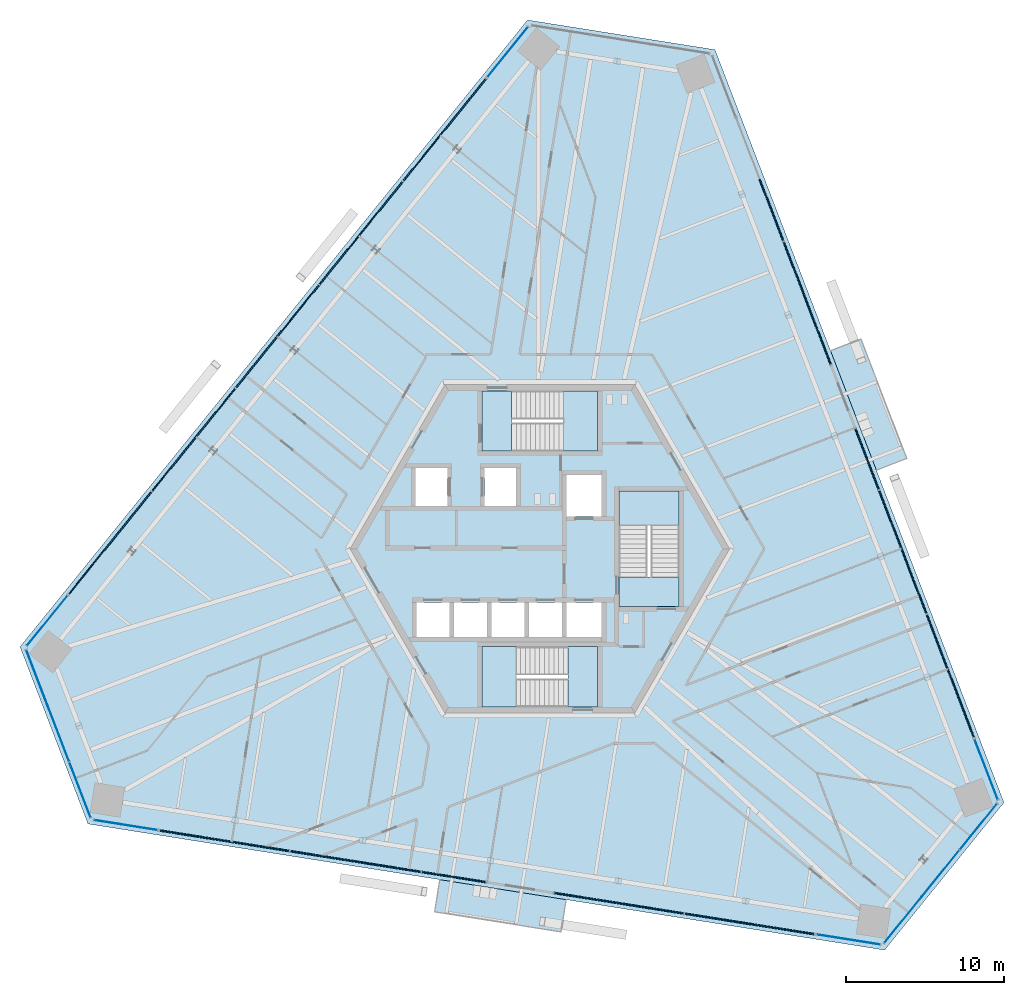
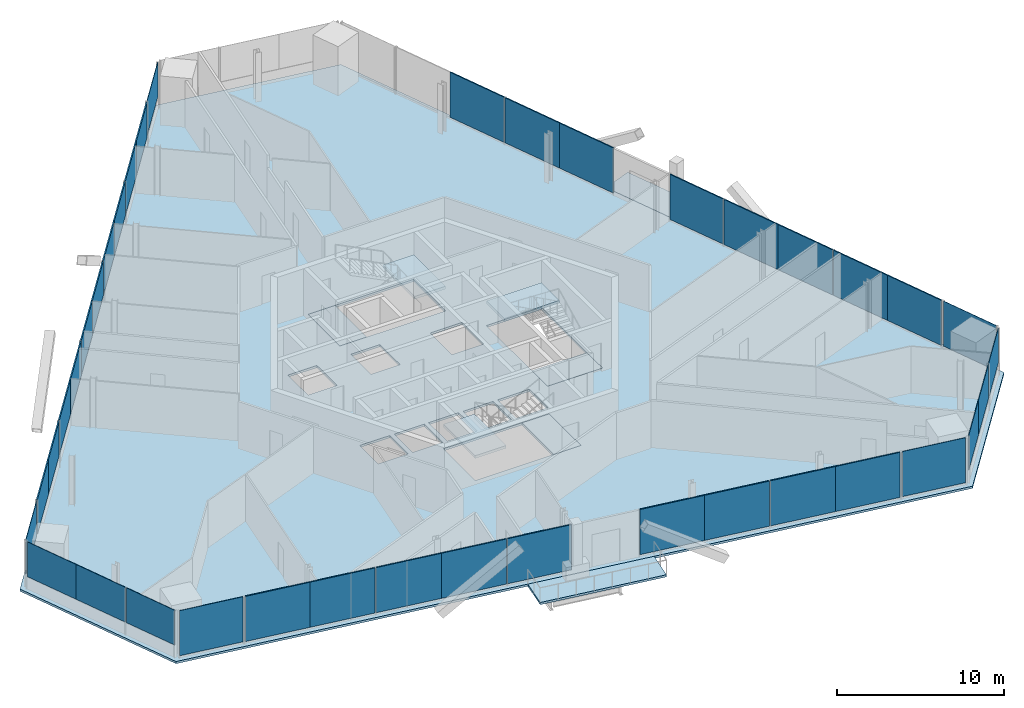
# One storey, part 10 of 19: 38 plates, 9 slabs, 15 elements without a shape of their own.
"""IFC4 building model written with IfcOpenShell, lengths in metres."""

from ifc_helpers import new_model, si_unit, direction, frame, origin, origin_2d, place, context, subcontext, project, spatial, polyline, rectangle, outline, extrude, source, transform, mapped, material, layer, layer_set, type_object, element, aggregate, save


model = new_model("IFC4")

# Units and contexts
model_context = context("Model", 3, precision=1e-05, world=origin(), true_north=direction((0.0, 1.0)))
body_context = subcontext(model_context, "Body", "Model", "MODEL_VIEW")
ifc_project = project(units=[si_unit("LENGTHUNIT", "METRE"), si_unit("AREAUNIT", "SQUARE_METRE"), si_unit("VOLUMEUNIT", "CUBIC_METRE"), si_unit("PLANEANGLEUNIT", "RADIAN"), si_unit("MASSUNIT", "GRAM", prefix="KILO")], contexts=[model_context])

# Site, building, storey
site_placement = place(None, origin())
site = spatial("IfcSite", under=ifc_project, at=site_placement, CompositionType="ELEMENT")
building_placement = place(site_placement, origin())
building = spatial("IfcBuilding", under=site, at=building_placement, Name="Triune Harvest Tower", CompositionType="ELEMENT")
storey_placement = place(building_placement, frame((0.0, 0.0, 149.699951171875)))
storey = spatial("IfcBuildingStorey", under=building, at=storey_placement, Name="L38", CompositionType="ELEMENT", Elevation=149.699951171875)

# Slabs
ifc_material_1 = material(Name="Concrete 40 MPa", Category="concrete")
ifc_layer_1 = layer(ifc_material_1, 0.159912109375)
ifc_layer_set_1 = layer_set([ifc_layer_1], Name="Concrete 40 MPa")
slab_type_1 = type_object("IfcSlabType", Name="BA-1 balcony slab 160", PredefinedType="FLOOR", material=ifc_layer_set_1)
slab_1_placement = place(storey_placement, frame((0.0, 0.0, -0.159912109375)))
element("IfcSlab", 1, at=slab_1_placement, inside=storey, type_object=slab_type_1, Name="Balcony slab B4-F1 L38.7", PredefinedType="FLOOR", context=body_context, shape_type="SweptSolid", body=[
    extrude(outline(polyline([(21.280517578125, 4.977294921875), (18.381103515625, 12.530029296875), (20.305419921875, 13.268798828125), (23.204833984375, 5.7158203125), (21.280517578125, 4.977294921875)])), origin(), (0.0, 0.0, 1.0), 0.159912109375),
])
slab_2_placement = place(storey_placement, frame((0.0, 0.0, -0.159912109375)))
element("IfcSlab", 2, at=slab_2_placement, inside=storey, type_object=slab_type_1, Name="Balcony slab B4-F5 L38.7", PredefinedType="FLOOR", context=body_context, shape_type="SweptSolid", body=[
    extrude(outline(polyline([(-6.329833984375, -20.91796875), (1.66064453125, -22.18359375), (1.33837890625, -24.219482421875), (-6.65234375, -22.953857421875), (-6.329833984375, -20.91796875)])), origin(), (0.0, 0.0, 1.0), 0.159912109375),
])
ifc_material_2 = material(Name="Concrete 40 MPa", Category="concrete")
ifc_layer_2 = layer(ifc_material_2, 0.159912109375)
ifc_layer_set_2 = layer_set([ifc_layer_2], Name="Concrete 40 MPa")
slab_type_2 = type_object("IfcSlabType", Name="SL-1 Composite floor slab 160", PredefinedType="FLOOR", material=ifc_layer_set_2)
shared_shape_1 = source(origin(), body_context, "Body", "SweptSolid", [
    extrude(outline(polyline([(29.35107421875, -16.04736328125), (11.07421875, 31.565185546875), (-0.778076171875, 33.4423828125), (-32.873291015625, -6.19189453125), (-28.572998046875, -17.39501953125), (21.799072265625, -25.373291015625), (29.35107421875, -16.04736328125)]), holes=[polyline([(-5.72509765625, -5.590087890625), (-5.72509765625, -3.389892578125), (-7.800048828125, -3.389892578125), (-7.800048828125, -5.590087890625), (-5.72509765625, -5.590087890625)]), polyline([(-3.35009765625, -5.590087890625), (-3.35009765625, -3.389892578125), (-5.425048828125, -3.389892578125), (-5.425048828125, -5.590087890625), (-3.35009765625, -5.590087890625)]), polyline([(-0.97509765625, -5.590087890625), (-0.97509765625, -3.389892578125), (-3.050048828125, -3.389892578125), (-3.050048828125, -5.590087890625), (-0.97509765625, -5.590087890625)]), polyline([(1.39990234375, -5.590087890625), (1.39990234375, -3.389892578125), (-0.675048828125, -3.389892578125), (-0.675048828125, -5.590087890625), (1.39990234375, -5.590087890625)]), polyline([(3.89990234375, 2.06005859375), (3.89990234375, 4.659912109375), (1.699951171875, 4.659912109375), (1.699951171875, 2.06005859375), (3.89990234375, 2.06005859375)]), polyline([(3.89990234375, -5.590087890625), (3.89990234375, -3.389892578125), (1.699951171875, -3.389892578125), (1.699951171875, -5.590087890625), (3.89990234375, -5.590087890625)]), polyline([(-5.85009765625, 2.7099609375), (-5.85009765625, 5.110107421875), (-7.85009765625, 5.110107421875), (-7.85009765625, 2.7099609375), (-5.85009765625, 2.7099609375)]), polyline([(-1.5, 2.7099609375), (-1.5, 5.110107421875), (-3.5, 5.110107421875), (-3.5, 2.7099609375), (-1.5, 2.7099609375)]), polyline([(3.64990234375, 6.18994140625), (3.64990234375, 9.989990234375), (-3.64990234375, 9.989990234375), (-3.64990234375, 6.18994140625), (3.64990234375, 6.18994140625)]), polyline([(3.64990234375, -9.989990234375), (3.64990234375, -6.18994140625), (-3.64990234375, -6.18994140625), (-3.64990234375, -9.989990234375), (3.64990234375, -9.989990234375)]), polyline([(8.800048828125, -3.64990234375), (8.800048828125, 3.64990234375), (5.0, 3.64990234375), (5.0, -3.64990234375), (8.800048828125, -3.64990234375)])]), origin(), (0.0, 0.0, 1.0), 0.159912109375),
])
slab_3_placement = place(storey_placement, frame((0.0, 0.0, -0.159912109375)))
element("IfcSlab", 3, at=slab_3_placement, inside=storey, type_object=slab_type_2, Name="slab/L38/1", PredefinedType="FLOOR", context=body_context, shape_type="MappedRepresentation", body=[
    mapped(shared_shape_1, transform((0.0, 0.0, 0.0), scale=1.0)),
])

# Stair, slabs
ifc_material_3 = material(Name="Concrete 40 MPa", Category="concrete")
stair_type = type_object("IfcStairType", Name="Exit stair 1800 half turn", PredefinedType="HALF_TURN_STAIR", material=ifc_material_3)
stair_1_placement = place(storey_placement, origin())
stair_1 = element("IfcStair", 4, at=stair_1_placement, inside=storey, type_object=stair_type, Name="Exit stair north", PredefinedType="HALF_TURN_STAIR")
ifc_material_4 = material(Name="Concrete 40 MPa", Category="concrete")
ifc_layer_3 = layer(ifc_material_4, 0.199951171875)
ifc_layer_set_3 = layer_set([ifc_layer_3], Name="Concrete 40 MPa")
slab_type_3 = type_object("IfcSlabType", Name="Stair landing 200", PredefinedType="LANDING", material=ifc_layer_set_3)
shared_shape_2 = source(origin(), body_context, "Body", "SweptSolid", [
    extrude(outline(polyline([(1.510009765625, 6.18994140625), (3.64990234375, 6.18994140625), (3.64990234375, 9.989990234375), (1.510009765625, 9.989990234375), (1.510009765625, 6.18994140625)])), origin(), (0.0, 0.0, 1.0), 0.199951171875),
])
slab_4_placement = place(storey_placement, frame((0.0, 0.0, 1.60009765625)))
slab_4 = element("IfcSlab", 5, at=slab_4_placement, type_object=slab_type_3, Name="ST-1 landing 2", PredefinedType="LANDING", context=body_context, shape_type="MappedRepresentation", body=[
    mapped(shared_shape_2, transform((0.0, 0.0, 0.0), scale=1.0)),
])
shared_shape_3 = source(origin(), body_context, "Body", "SweptSolid", [
    extrude(outline(polyline([(-3.64990234375, 6.18994140625), (-1.780029296875, 6.18994140625), (-1.780029296875, 9.989990234375), (-3.64990234375, 9.989990234375), (-3.64990234375, 6.18994140625)])), origin(), (0.0, 0.0, 1.0), 0.199951171875),
])
slab_5_placement = place(storey_placement, frame((0.0, 0.0, -0.199951171875)))
slab_5 = element("IfcSlab", 6, at=slab_5_placement, type_object=slab_type_3, Name="ST-1 landing 1", PredefinedType="LANDING", context=body_context, shape_type="MappedRepresentation", body=[
    mapped(shared_shape_3, transform((0.0, 0.0, 0.0), scale=1.0)),
])
aggregate(stair_1, [slab_5, slab_4])

stair_2_placement = place(storey_placement, origin())
stair_2 = element("IfcStair", 7, at=stair_2_placement, inside=storey, type_object=stair_type, Name="Exit stair south", PredefinedType="HALF_TURN_STAIR")
shared_shape_4 = source(origin(), body_context, "Body", "SweptSolid", [
    extrude(outline(polyline([(-1.510009765625, -6.18994140625), (-3.64990234375, -6.18994140625), (-3.64990234375, -9.989990234375), (-1.510009765625, -9.989990234375), (-1.510009765625, -6.18994140625)])), origin(), (0.0, 0.0, 1.0), 0.199951171875),
])
slab_6_placement = place(storey_placement, frame((0.0, 0.0, 1.60009765625)))
slab_6 = element("IfcSlab", 8, at=slab_6_placement, type_object=slab_type_3, Name="ST-2 landing 2", PredefinedType="LANDING", context=body_context, shape_type="MappedRepresentation", body=[
    mapped(shared_shape_4, transform((0.0, 0.0, 0.0), scale=1.0)),
])
shared_shape_5 = source(origin(), body_context, "Body", "SweptSolid", [
    extrude(outline(polyline([(3.64990234375, -6.18994140625), (1.780029296875, -6.18994140625), (1.780029296875, -9.989990234375), (3.64990234375, -9.989990234375), (3.64990234375, -6.18994140625)])), origin(), (0.0, 0.0, 1.0), 0.199951171875),
])
slab_7_placement = place(storey_placement, frame((0.0, 0.0, -0.199951171875)))
slab_7 = element("IfcSlab", 9, at=slab_7_placement, type_object=slab_type_3, Name="ST-2 landing 1", PredefinedType="LANDING", context=body_context, shape_type="MappedRepresentation", body=[
    mapped(shared_shape_5, transform((0.0, 0.0, 0.0), scale=1.0)),
])
aggregate(stair_2, [slab_7, slab_6])

stair_3_placement = place(storey_placement, origin())
stair_3 = element("IfcStair", 10, at=stair_3_placement, inside=storey, type_object=stair_type, Name="Exit stair east", PredefinedType="HALF_TURN_STAIR")
shared_shape_6 = source(origin(), body_context, "Body", "SweptSolid", [
    extrude(outline(polyline([(8.800048828125, 1.510009765625), (8.800048828125, 3.64990234375), (5.0, 3.64990234375), (5.0, 1.510009765625), (8.800048828125, 1.510009765625)])), origin(), (0.0, 0.0, 1.0), 0.199951171875),
])
slab_8_placement = place(storey_placement, frame((0.0, 0.0, 1.60009765625)))
slab_8 = element("IfcSlab", 11, at=slab_8_placement, type_object=slab_type_3, Name="ST-3 landing 2", PredefinedType="LANDING", context=body_context, shape_type="MappedRepresentation", body=[
    mapped(shared_shape_6, transform((0.0, 0.0, 0.0), scale=1.0)),
])
shared_shape_7 = source(origin(), body_context, "Body", "SweptSolid", [
    extrude(outline(polyline([(8.800048828125, -3.64990234375), (8.800048828125, -1.780029296875), (5.0, -1.780029296875), (5.0, -3.64990234375), (8.800048828125, -3.64990234375)])), origin(), (0.0, 0.0, 1.0), 0.199951171875),
])
slab_9_placement = place(storey_placement, frame((0.0, 0.0, -0.199951171875)))
slab_9 = element("IfcSlab", 12, at=slab_9_placement, type_object=slab_type_3, Name="ST-3 landing 1", PredefinedType="LANDING", context=body_context, shape_type="MappedRepresentation", body=[
    mapped(shared_shape_7, transform((0.0, 0.0, 0.0), scale=1.0)),
])
aggregate(stair_3, [slab_9, slab_8])

# Curtain wall, plate
ifc_material_5 = material(Name="Aluminium bronze anodised", Category="aluminium")
curtain_wall_type_1 = type_object("IfcCurtainWallType", Name="CW-1 Tower stick curtain wall", PredefinedType="NOTDEFINED", material=ifc_material_5)
curtain_wall_1_placement = place(storey_placement, origin())
curtain_wall_1 = element("IfcCurtainWall", 13, at=curtain_wall_1_placement, inside=storey, type_object=curtain_wall_type_1, Name="CW-1 B4-F4 L38 run 1")
ifc_material_6 = material(Name="Glass", Category="glass")
ifc_layer_4 = layer(ifc_material_6, 0.031982421875)
ifc_layer_set_4 = layer_set([ifc_layer_4], Name="Glass")
plate_type_1 = type_object("IfcPlateType", Name="GL-1 panel 32", PredefinedType="CURTAIN_PANEL", material=ifc_layer_set_4)
shared_shape_8 = source(origin(), body_context, "Body", "SweptSolid", [
    extrude(rectangle(XDim=3.74951171875, YDim=0.031982421875, at=origin_2d()), origin(), (0.0, 0.0, 1.0), 2.5400390625),
])
plate_1_placement = place(storey_placement, frame((-31.80029296875, -8.150390625, 0.900146484375), z_axis=(0.0, 0.0, 1.0), x_axis=(0.358368910177, -0.933580057745, 0.0)))
plate_1 = element("IfcPlate", 14, at=plate_1_placement, type_object=plate_type_1, Name="CW-1 panel B4-F4 1.1", PredefinedType="CURTAIN_PANEL", context=body_context, shape_type="MappedRepresentation", body=[
    mapped(shared_shape_8, transform((0.0, 0.0, 0.0), scale=1.0)),
])

curtain_wall_2_placement = place(storey_placement, origin())
curtain_wall_2 = element("IfcCurtainWall", 15, at=curtain_wall_2_placement, inside=storey, type_object=curtain_wall_type_1, Name="CW-1 B4-F6 L38 run 1")
plate_2_placement = place(storey_placement, frame((22.958740234375, -23.464599609375, 0.900146484375), z_axis=(0.0, 0.0, 1.0), x_axis=(0.629320905414, 0.777145544932, 0.0)))
plate_2 = element("IfcPlate", 16, at=plate_2_placement, type_object=plate_type_1, Name="CW-1 panel B4-F6 1.1", PredefinedType="CURTAIN_PANEL", context=body_context, shape_type="MappedRepresentation", body=[
    mapped(shared_shape_8, transform((0.0, 0.0, 0.0), scale=1.0)),
])

# Plate
shared_shape_9 = source(origin(), body_context, "Body", "SweptSolid", [
    extrude(rectangle(XDim=3.787109375, YDim=0.031982421875, at=origin_2d()), origin(), (0.0, 0.0, 1.0), 2.5400390625),
])
plate_3_placement = place(storey_placement, frame((-30.449951171875, -11.66845703125, 0.900146484375), z_axis=(0.0, 0.0, 1.0), x_axis=(0.358368910177, -0.933580057745, 0.0)))
plate_3 = element("IfcPlate", 17, at=plate_3_placement, type_object=plate_type_1, Name="CW-1 panel B4-F4 1.2", PredefinedType="CURTAIN_PANEL", context=body_context, shape_type="MappedRepresentation", body=[
    mapped(shared_shape_9, transform((0.0, 0.0, 0.0), scale=1.0)),
])

plate_4_placement = place(storey_placement, frame((25.330078125, -20.5361328125, 0.900146484375), z_axis=(0.0, 0.0, 1.0), x_axis=(0.629320905414, 0.777145544932, 0.0)))
plate_4 = element("IfcPlate", 18, at=plate_4_placement, type_object=plate_type_1, Name="CW-1 panel B4-F6 1.2", PredefinedType="CURTAIN_PANEL", context=body_context, shape_type="MappedRepresentation", body=[
    mapped(shared_shape_9, transform((0.0, 0.0, 0.0), scale=1.0)),
])

# Curtain wall, plate
curtain_wall_3_placement = place(storey_placement, origin())
curtain_wall_3 = element("IfcCurtainWall", 19, at=curtain_wall_3_placement, inside=storey, type_object=curtain_wall_type_1, Name="CW-1 B4-F3 L38 run 1")
shared_shape_10 = source(origin(), body_context, "Body", "SweptSolid", [
    extrude(rectangle(XDim=4.05615234375, YDim=0.031982421875, at=origin_2d()), origin(), (0.0, 0.0, 1.0), 2.5400390625),
])
plate_5_placement = place(storey_placement, frame((-2.033935546875, 31.414794921875, 0.900146484375), z_axis=(0.0, 0.0, 1.0), x_axis=(-0.629316641776, -0.777148997544, 0.0)))
plate_5 = element("IfcPlate", 20, at=plate_5_placement, type_object=plate_type_1, Name="CW-1 panel B4-F3 1.1", PredefinedType="CURTAIN_PANEL", context=body_context, shape_type="MappedRepresentation", body=[
    mapped(shared_shape_10, transform((0.0, 0.0, 0.0), scale=1.0)),
])
aggregate(curtain_wall_3, [plate_5])

curtain_wall_4_placement = place(storey_placement, origin())
curtain_wall_4 = element("IfcCurtainWall", 21, at=curtain_wall_4_placement, inside=storey, type_object=curtain_wall_type_1, Name="CW-1 B4-F3 L38 run 2001")
plate_6_placement = place(storey_placement, frame((-31.151123046875, -4.5419921875, 0.900146484375), z_axis=(0.0, 0.0, 1.0), x_axis=(-0.629316641776, -0.777148997544, 0.0)))
plate_6 = element("IfcPlate", 22, at=plate_6_placement, type_object=plate_type_1, Name="CW-1 panel B4-F3 2001.1", PredefinedType="CURTAIN_PANEL", context=body_context, shape_type="MappedRepresentation", body=[
    mapped(shared_shape_10, transform((0.0, 0.0, 0.0), scale=1.0)),
])
aggregate(curtain_wall_4, [plate_6])

# Curtain wall, plates
ifc_material_7 = material(Name="Aluminium bronze anodised", Category="aluminium")
curtain_wall_type_2 = type_object("IfcCurtainWallType", Name="CW-7 Tower stick curtain wall with insulated spandrel infill", PredefinedType="NOTDEFINED", material=ifc_material_7)
curtain_wall_5_placement = place(storey_placement, origin())
curtain_wall_5 = element("IfcCurtainWall", 23, at=curtain_wall_5_placement, inside=storey, type_object=curtain_wall_type_2, Name="CW-7 B4-F3 L38 run 1001")
ifc_material_8 = material(Name="Insulated spandrel panel, bronze aluminium pan", Category="aluminium")
ifc_layer_5 = layer(ifc_material_8, 0.080078125)
ifc_layer_set_5 = layer_set([ifc_layer_5], Name="Insulated spandrel panel, bronze aluminium pan")
plate_type_2 = type_object("IfcPlateType", Name="SP-1 insulated spandrel panel 80", PredefinedType="CURTAIN_PANEL", material=ifc_layer_set_5)
shared_shape_11 = source(origin(), body_context, "Body", "SweptSolid", [
    extrude(rectangle(XDim=4.131103515625, YDim=0.080078125, at=origin_2d()), origin(), (0.0, 0.0, 1.0), 2.5400390625),
])
plate_7_placement = place(storey_placement, frame((-4.70458984375, 28.11669921875, 0.900146484375), z_axis=(0.0, 0.0, 1.0), x_axis=(-0.629322422546, -0.77714431638, 0.0)))
plate_7 = element("IfcPlate", 24, at=plate_7_placement, type_object=plate_type_2, Name="CW-7 panel B4-F3 1001.1", PredefinedType="CURTAIN_PANEL", context=body_context, shape_type="MappedRepresentation", body=[
    mapped(shared_shape_11, transform((0.0, 0.0, 0.0), scale=1.0)),
])
plate_8_placement = place(storey_placement, frame((-28.48046875, -1.243896484375, 0.900146484375), z_axis=(0.0, 0.0, 1.0), x_axis=(-0.629322422546, -0.77714431638, 0.0)))
plate_8 = element("IfcPlate", 25, at=plate_8_placement, type_object=plate_type_2, Name="CW-7 panel B4-F3 1001.10", PredefinedType="CURTAIN_PANEL", context=body_context, shape_type="MappedRepresentation", body=[
    mapped(shared_shape_11, transform((0.0, 0.0, 0.0), scale=1.0)),
])
shared_shape_12 = source(origin(), body_context, "Body", "SweptSolid", [
    extrude(rectangle(XDim=4.168701171875, YDim=0.080078125, at=origin_2d()), origin(), (0.0, 0.0, 1.0), 2.5400390625),
])
plate_9_placement = place(storey_placement, frame((-7.316162109375, 24.8916015625, 0.900146484375), z_axis=(0.0, 0.0, 1.0), x_axis=(-0.629322422546, -0.77714431638, 0.0)))
plate_9 = element("IfcPlate", 26, at=plate_9_placement, type_object=plate_type_2, Name="CW-7 panel B4-F3 1001.2", PredefinedType="CURTAIN_PANEL", context=body_context, shape_type="MappedRepresentation", body=[
    mapped(shared_shape_12, transform((0.0, 0.0, 0.0), scale=1.0)),
])
plate_10_placement = place(storey_placement, frame((-9.98681640625, 21.59375, 0.900146484375), z_axis=(0.0, 0.0, 1.0), x_axis=(-0.629322422546, -0.77714431638, 0.0)))
plate_10 = element("IfcPlate", 27, at=plate_10_placement, type_object=plate_type_2, Name="CW-7 panel B4-F3 1001.3", PredefinedType="CURTAIN_PANEL", context=body_context, shape_type="MappedRepresentation", body=[
    mapped(shared_shape_12, transform((0.0, 0.0, 0.0), scale=1.0)),
])
plate_11_placement = place(storey_placement, frame((-12.6103515625, 18.354248046875, 0.900146484375), z_axis=(0.0, 0.0, 1.0), x_axis=(-0.629322422546, -0.77714431638, 0.0)))
plate_11 = element("IfcPlate", 28, at=plate_11_placement, type_object=plate_type_2, Name="CW-7 panel B4-F3 1001.4", PredefinedType="CURTAIN_PANEL", context=body_context, shape_type="MappedRepresentation", body=[
    mapped(shared_shape_12, transform((0.0, 0.0, 0.0), scale=1.0)),
])
plate_12_placement = place(storey_placement, frame((-15.281005859375, 15.05615234375, 0.900146484375), z_axis=(0.0, 0.0, 1.0), x_axis=(-0.629322422546, -0.77714431638, 0.0)))
plate_12 = element("IfcPlate", 29, at=plate_12_placement, type_object=plate_type_2, Name="CW-7 panel B4-F3 1001.5", PredefinedType="CURTAIN_PANEL", context=body_context, shape_type="MappedRepresentation", body=[
    mapped(shared_shape_12, transform((0.0, 0.0, 0.0), scale=1.0)),
])
plate_13_placement = place(storey_placement, frame((-17.904296875, 11.816650390625, 0.900146484375), z_axis=(0.0, 0.0, 1.0), x_axis=(-0.629322422546, -0.77714431638, 0.0)))
plate_13 = element("IfcPlate", 30, at=plate_13_placement, type_object=plate_type_2, Name="CW-7 panel B4-F3 1001.6", PredefinedType="CURTAIN_PANEL", context=body_context, shape_type="MappedRepresentation", body=[
    mapped(shared_shape_12, transform((0.0, 0.0, 0.0), scale=1.0)),
])
plate_14_placement = place(storey_placement, frame((-20.574951171875, 8.5185546875, 0.900146484375), z_axis=(0.0, 0.0, 1.0), x_axis=(-0.629322422546, -0.77714431638, 0.0)))
plate_14 = element("IfcPlate", 31, at=plate_14_placement, type_object=plate_type_2, Name="CW-7 panel B4-F3 1001.7", PredefinedType="CURTAIN_PANEL", context=body_context, shape_type="MappedRepresentation", body=[
    mapped(shared_shape_12, transform((0.0, 0.0, 0.0), scale=1.0)),
])
plate_15_placement = place(storey_placement, frame((-23.1982421875, 5.279052734375, 0.900146484375), z_axis=(0.0, 0.0, 1.0), x_axis=(-0.629322422546, -0.77714431638, 0.0)))
plate_15 = element("IfcPlate", 32, at=plate_15_placement, type_object=plate_type_2, Name="CW-7 panel B4-F3 1001.8", PredefinedType="CURTAIN_PANEL", context=body_context, shape_type="MappedRepresentation", body=[
    mapped(shared_shape_12, transform((0.0, 0.0, 0.0), scale=1.0)),
])
plate_16_placement = place(storey_placement, frame((-25.868896484375, 1.981201171875, 0.900146484375), z_axis=(0.0, 0.0, 1.0), x_axis=(-0.629322422546, -0.77714431638, 0.0)))
plate_16 = element("IfcPlate", 33, at=plate_16_placement, type_object=plate_type_2, Name="CW-7 panel B4-F3 1001.9", PredefinedType="CURTAIN_PANEL", context=body_context, shape_type="MappedRepresentation", body=[
    mapped(shared_shape_12, transform((0.0, 0.0, 0.0), scale=1.0)),
])
aggregate(curtain_wall_5, [plate_7, plate_9, plate_10, plate_11, plate_12, plate_13, plate_14, plate_15, plate_16, plate_8])

# Plate
shared_shape_13 = source(origin(), body_context, "Body", "SweptSolid", [
    extrude(rectangle(XDim=3.712158203125, YDim=0.031982421875, at=origin_2d()), origin(), (0.0, 0.0, 1.0), 2.5400390625),
])
plate_17_placement = place(storey_placement, frame((-29.079345703125, -15.239013671875, 0.900146484375), z_axis=(0.0, 0.0, 1.0), x_axis=(0.358368910177, -0.933580057745, 0.0)))
plate_17 = element("IfcPlate", 34, at=plate_17_placement, type_object=plate_type_1, Name="CW-1 panel B4-F4 1.3", PredefinedType="CURTAIN_PANEL", context=body_context, shape_type="MappedRepresentation", body=[
    mapped(shared_shape_13, transform((0.0, 0.0, 0.0), scale=1.0)),
])

aggregate(curtain_wall_1, [plate_1, plate_3, plate_17])

plate_18_placement = place(storey_placement, frame((27.737060546875, -17.563720703125, 0.900146484375), z_axis=(0.0, 0.0, 1.0), x_axis=(0.629320905414, 0.777145544932, 0.0)))
plate_18 = element("IfcPlate", 35, at=plate_18_placement, type_object=plate_type_1, Name="CW-1 panel B4-F6 1.3", PredefinedType="CURTAIN_PANEL", context=body_context, shape_type="MappedRepresentation", body=[
    mapped(shared_shape_13, transform((0.0, 0.0, 0.0), scale=1.0)),
])

aggregate(curtain_wall_2, [plate_2, plate_4, plate_18])

# Curtain wall, plate
ifc_material_9 = material(Name="Aluminium bronze anodised", Category="aluminium")
curtain_wall_type_3 = type_object("IfcCurtainWallType", Name="CW-6 Balcony window wall", PredefinedType="NOTDEFINED", material=ifc_material_9)
curtain_wall_6_placement = place(storey_placement, origin())
curtain_wall_6 = element("IfcCurtainWall", 36, at=curtain_wall_6_placement, inside=storey, type_object=curtain_wall_type_3, Name="CW-6 B4-F1 L38 run 1")
ifc_material_10 = material(Name="Glass", Category="glass")
ifc_layer_6 = layer(ifc_material_10, 0.030029296875)
ifc_layer_set_6 = layer_set([ifc_layer_6], Name="Glass")
plate_type_3 = type_object("IfcPlateType", Name="GL-6 panel 30", PredefinedType="CURTAIN_PANEL", material=ifc_layer_set_6)
shared_shape_14 = source(origin(), body_context, "Body", "SweptSolid", [
    extrude(rectangle(XDim=4.05615234375, YDim=0.030029296875, at=origin_2d()), origin(), (0.0, 0.0, 1.0), 3.2900390625),
])
plate_19_placement = place(storey_placement, frame((28.222900390625, -13.94580078125, 0.150146484375), z_axis=(0.0, 0.0, 1.0), x_axis=(-0.358367533395, 0.933580586242, 0.0)))
plate_19 = element("IfcPlate", 37, at=plate_19_placement, type_object=plate_type_3, Name="CW-6 panel B4-F1 1.1", PredefinedType="CURTAIN_PANEL", context=body_context, shape_type="MappedRepresentation", body=[
    mapped(shared_shape_14, transform((0.0, 0.0, 0.0), scale=1.0)),
])
aggregate(curtain_wall_6, [plate_19])

curtain_wall_7_placement = place(storey_placement, origin())
curtain_wall_7 = element("IfcCurtainWall", 38, at=curtain_wall_7_placement, inside=storey, type_object=curtain_wall_type_3, Name="CW-6 B4-F5 L38 run 1")
plate_20_placement = place(storey_placement, frame((-26.18896484375, -17.468994140625, 0.150146484375), z_axis=(0.0, 0.0, 1.0), x_axis=(0.987686757445, -0.15644446033, 0.0)))
plate_20 = element("IfcPlate", 39, at=plate_20_placement, type_object=plate_type_3, Name="CW-6 panel B4-F5 1.1", PredefinedType="CURTAIN_PANEL", context=body_context, shape_type="MappedRepresentation", body=[
    mapped(shared_shape_14, transform((0.0, 0.0, 0.0), scale=1.0)),
])
aggregate(curtain_wall_7, [plate_20])

ifc_material_11 = material(Name="Aluminium bronze anodised", Category="aluminium")
curtain_wall_type_4 = type_object("IfcCurtainWallType", Name="CW-10 Balcony window wall with insulated spandrel infill", PredefinedType="NOTDEFINED", material=ifc_material_11)
curtain_wall_8_placement = place(storey_placement, origin())
curtain_wall_8 = element("IfcCurtainWall", 40, at=curtain_wall_8_placement, inside=storey, type_object=curtain_wall_type_4, Name="CW-10 B4-F1 L38 run 1001")
shared_shape_15 = source(origin(), body_context, "Body", "SweptSolid", [
    extrude(rectangle(XDim=4.131103515625, YDim=0.080078125, at=origin_2d()), origin(), (0.0, 0.0, 1.0), 3.2900390625),
])
plate_21_placement = place(storey_placement, frame((26.7021484375, -9.984130859375, 0.150146484375), z_axis=(0.0, 0.0, 1.0), x_axis=(-0.35836962006, 0.933579785245, 0.0)))
plate_21 = element("IfcPlate", 41, at=plate_21_placement, type_object=plate_type_2, Name="CW-10 panel B4-F1 1001.1", PredefinedType="CURTAIN_PANEL", context=body_context, shape_type="MappedRepresentation", body=[
    mapped(shared_shape_15, transform((0.0, 0.0, 0.0), scale=1.0)),
])

curtain_wall_9_placement = place(storey_placement, origin())
curtain_wall_9 = element("IfcCurtainWall", 42, at=curtain_wall_9_placement, inside=storey, type_object=curtain_wall_type_4, Name="CW-10 B4-F5 L38 run 1001")
plate_22_placement = place(storey_placement, frame((-21.99755859375, -18.1328125, 0.150146484375), z_axis=(0.0, 0.0, 1.0), x_axis=(0.987688560391, -0.156433077296, 0.0)))
plate_22 = element("IfcPlate", 43, at=plate_22_placement, type_object=plate_type_2, Name="CW-10 panel B4-F5 1001.1", PredefinedType="CURTAIN_PANEL", context=body_context, shape_type="MappedRepresentation", body=[
    mapped(shared_shape_15, transform((0.0, 0.0, 0.0), scale=1.0)),
])

# Plate
shared_shape_16 = source(origin(), body_context, "Body", "SweptSolid", [
    extrude(rectangle(XDim=4.168701171875, YDim=0.080078125, at=origin_2d()), origin(), (0.0, 0.0, 1.0), 3.2900390625),
])
plate_23_placement = place(storey_placement, frame((25.215087890625, -6.10986328125, 0.150146484375), z_axis=(0.0, 0.0, 1.0), x_axis=(-0.35836962006, 0.933579785245, 0.0)))
plate_23 = element("IfcPlate", 44, at=plate_23_placement, type_object=plate_type_2, Name="CW-10 panel B4-F1 1001.2", PredefinedType="CURTAIN_PANEL", context=body_context, shape_type="MappedRepresentation", body=[
    mapped(shared_shape_16, transform((0.0, 0.0, 0.0), scale=1.0)),
])

plate_24_placement = place(storey_placement, frame((23.694091796875, -2.14794921875, 0.150146484375), z_axis=(0.0, 0.0, 1.0), x_axis=(-0.35836962006, 0.933579785245, 0.0)))
plate_24 = element("IfcPlate", 45, at=plate_24_placement, type_object=plate_type_2, Name="CW-10 panel B4-F1 1001.3", PredefinedType="CURTAIN_PANEL", context=body_context, shape_type="MappedRepresentation", body=[
    mapped(shared_shape_16, transform((0.0, 0.0, 0.0), scale=1.0)),
])

plate_25_placement = place(storey_placement, frame((22.2001953125, 1.74365234375, 0.150146484375), z_axis=(0.0, 0.0, 1.0), x_axis=(-0.35836962006, 0.933579785245, 0.0)))
plate_25 = element("IfcPlate", 46, at=plate_25_placement, type_object=plate_type_2, Name="CW-10 panel B4-F1 1001.4", PredefinedType="CURTAIN_PANEL", context=body_context, shape_type="MappedRepresentation", body=[
    mapped(shared_shape_16, transform((0.0, 0.0, 0.0), scale=1.0)),
])

plate_26_placement = place(storey_placement, frame((-17.898681640625, -18.781982421875, 0.150146484375), z_axis=(0.0, 0.0, 1.0), x_axis=(0.987688560391, -0.156433077296, 0.0)))
plate_26 = element("IfcPlate", 47, at=plate_26_placement, type_object=plate_type_2, Name="CW-10 panel B4-F5 1001.2", PredefinedType="CURTAIN_PANEL", context=body_context, shape_type="MappedRepresentation", body=[
    mapped(shared_shape_16, transform((0.0, 0.0, 0.0), scale=1.0)),
])

plate_27_placement = place(storey_placement, frame((-13.707275390625, -19.44580078125, 0.150146484375), z_axis=(0.0, 0.0, 1.0), x_axis=(0.987688560391, -0.156433077296, 0.0)))
plate_27 = element("IfcPlate", 48, at=plate_27_placement, type_object=plate_type_2, Name="CW-10 panel B4-F5 1001.3", PredefinedType="CURTAIN_PANEL", context=body_context, shape_type="MappedRepresentation", body=[
    mapped(shared_shape_16, transform((0.0, 0.0, 0.0), scale=1.0)),
])

plate_28_placement = place(storey_placement, frame((-9.590087890625, -20.097900390625, 0.150146484375), z_axis=(0.0, 0.0, 1.0), x_axis=(0.987688560391, -0.156433077296, 0.0)))
plate_28 = element("IfcPlate", 49, at=plate_28_placement, type_object=plate_type_2, Name="CW-10 panel B4-F5 1001.4", PredefinedType="CURTAIN_PANEL", context=body_context, shape_type="MappedRepresentation", body=[
    mapped(shared_shape_16, transform((0.0, 0.0, 0.0), scale=1.0)),
])

shared_shape_17 = source(origin(), body_context, "Body", "SweptSolid", [
    extrude(rectangle(XDim=4.09375, YDim=0.080078125, at=origin_2d()), origin(), (0.0, 0.0, 1.0), 3.2900390625),
])
plate_29_placement = place(storey_placement, frame((20.69287109375, 5.67041015625, 0.150146484375), z_axis=(0.0, 0.0, 1.0), x_axis=(-0.35836962006, 0.933579785245, 0.0)))
plate_29 = element("IfcPlate", 50, at=plate_29_placement, type_object=plate_type_2, Name="CW-10 panel B4-F1 1001.5", PredefinedType="CURTAIN_PANEL", context=body_context, shape_type="MappedRepresentation", body=[
    mapped(shared_shape_17, transform((0.0, 0.0, 0.0), scale=1.0)),
])

aggregate(curtain_wall_8, [plate_21, plate_23, plate_24, plate_25, plate_29])

plate_30_placement = place(storey_placement, frame((-5.435791015625, -20.755859375, 0.150146484375), z_axis=(0.0, 0.0, 1.0), x_axis=(0.987688560391, -0.156433077296, 0.0)))
plate_30 = element("IfcPlate", 51, at=plate_30_placement, type_object=plate_type_2, Name="CW-10 panel B4-F5 1001.5", PredefinedType="CURTAIN_PANEL", context=body_context, shape_type="MappedRepresentation", body=[
    mapped(shared_shape_17, transform((0.0, 0.0, 0.0), scale=1.0)),
])

aggregate(curtain_wall_9, [plate_22, plate_26, plate_27, plate_28, plate_30])

# Curtain wall, plate
curtain_wall_10_placement = place(storey_placement, origin())
curtain_wall_10 = element("IfcCurtainWall", 52, at=curtain_wall_10_placement, inside=storey, type_object=curtain_wall_type_4, Name="CW-10 B4-F1 L38 run 2")
shared_shape_18 = source(origin(), body_context, "Body", "SweptSolid", [
    extrude(rectangle(XDim=4.128173828125, YDim=0.080078125, at=origin_2d()), origin(), (0.0, 0.0, 1.0), 3.2900390625),
])
plate_31_placement = place(storey_placement, frame((17.6533203125, 13.589111328125, 0.150146484375), z_axis=(0.0, 0.0, 1.0), x_axis=(-0.358371012467, 0.933579250746, 0.0)))
plate_31 = element("IfcPlate", 53, at=plate_31_placement, type_object=plate_type_2, Name="CW-10 panel B4-F1 2.1", PredefinedType="CURTAIN_PANEL", context=body_context, shape_type="MappedRepresentation", body=[
    mapped(shared_shape_18, transform((0.0, 0.0, 0.0), scale=1.0)),
])

# Curtain wall, plates
curtain_wall_11_placement = place(storey_placement, origin())
curtain_wall_11 = element("IfcCurtainWall", 54, at=curtain_wall_11_placement, inside=storey, type_object=curtain_wall_type_4, Name="CW-10 B4-F5 L38 run 2")
plate_32_placement = place(storey_placement, frame((2.94189453125, -22.082763671875, 0.150146484375), z_axis=(0.0, 0.0, 1.0), x_axis=(0.987688261897, -0.15643496192, 0.0)))
plate_32 = element("IfcPlate", 55, at=plate_32_placement, type_object=plate_type_2, Name="CW-10 panel B4-F5 2.1", PredefinedType="CURTAIN_PANEL", context=body_context, shape_type="MappedRepresentation", body=[
    mapped(shared_shape_18, transform((0.0, 0.0, 0.0), scale=1.0)),
])
plate_33_placement = place(storey_placement, frame((15.322021484375, -24.04345703125, 0.150146484375), z_axis=(0.0, 0.0, 1.0), x_axis=(0.987688261897, -0.15643496192, 0.0)))
plate_33 = element("IfcPlate", 56, at=plate_33_placement, type_object=plate_type_2, Name="CW-10 panel B4-F5 2.4", PredefinedType="CURTAIN_PANEL", context=body_context, shape_type="MappedRepresentation", body=[
    mapped(shared_shape_18, transform((0.0, 0.0, 0.0), scale=1.0)),
])

# Plate
shared_shape_19 = source(origin(), body_context, "Body", "SweptSolid", [
    extrude(rectangle(XDim=4.16552734375, YDim=0.080078125, at=origin_2d()), origin(), (0.0, 0.0, 1.0), 3.2900390625),
])
plate_34_placement = place(storey_placement, frame((16.167236328125, 17.460693359375, 0.150146484375), z_axis=(0.0, 0.0, 1.0), x_axis=(-0.358371012467, 0.933579250746, 0.0)))
plate_34 = element("IfcPlate", 57, at=plate_34_placement, type_object=plate_type_2, Name="CW-10 panel B4-F1 2.2", PredefinedType="CURTAIN_PANEL", context=body_context, shape_type="MappedRepresentation", body=[
    mapped(shared_shape_19, transform((0.0, 0.0, 0.0), scale=1.0)),
])

plate_35_placement = place(storey_placement, frame((14.6474609375, 21.419677734375, 0.150146484375), z_axis=(0.0, 0.0, 1.0), x_axis=(-0.358371012467, 0.933579250746, 0.0)))
plate_35 = element("IfcPlate", 58, at=plate_35_placement, type_object=plate_type_2, Name="CW-10 panel B4-F1 2.3", PredefinedType="CURTAIN_PANEL", context=body_context, shape_type="MappedRepresentation", body=[
    mapped(shared_shape_19, transform((0.0, 0.0, 0.0), scale=1.0)),
])

aggregate(curtain_wall_10, [plate_31, plate_34, plate_35])

plate_36_placement = place(storey_placement, frame((7.037841796875, -22.7314453125, 0.150146484375), z_axis=(0.0, 0.0, 1.0), x_axis=(0.987688261897, -0.15643496192, 0.0)))
plate_36 = element("IfcPlate", 59, at=plate_36_placement, type_object=plate_type_2, Name="CW-10 panel B4-F5 2.2", PredefinedType="CURTAIN_PANEL", context=body_context, shape_type="MappedRepresentation", body=[
    mapped(shared_shape_19, transform((0.0, 0.0, 0.0), scale=1.0)),
])

plate_37_placement = place(storey_placement, frame((11.22607421875, -23.394775390625, 0.150146484375), z_axis=(0.0, 0.0, 1.0), x_axis=(0.987688261897, -0.15643496192, 0.0)))
plate_37 = element("IfcPlate", 60, at=plate_37_placement, type_object=plate_type_2, Name="CW-10 panel B4-F5 2.3", PredefinedType="CURTAIN_PANEL", context=body_context, shape_type="MappedRepresentation", body=[
    mapped(shared_shape_19, transform((0.0, 0.0, 0.0), scale=1.0)),
])

aggregate(curtain_wall_11, [plate_32, plate_36, plate_37, plate_33])

# Curtain wall, plate
curtain_wall_12_placement = place(storey_placement, origin())
curtain_wall_12 = element("IfcCurtainWall", 61, at=curtain_wall_12_placement, inside=storey, type_object=curtain_wall_type_3, Name="CW-6 B4-F5 L38 run 1002")
shared_shape_20 = source(origin(), body_context, "Body", "SweptSolid", [
    extrude(rectangle(XDim=4.05322265625, YDim=0.030029296875, at=origin_2d()), origin(), (0.0, 0.0, 1.0), 3.2900390625),
])
plate_38_placement = place(storey_placement, frame((19.510498046875, -24.70703125, 0.150146484375), z_axis=(0.0, 0.0, 1.0), x_axis=(0.987688251978, -0.156435024547, 0.0)))
plate_38 = element("IfcPlate", 62, at=plate_38_placement, type_object=plate_type_3, Name="CW-6 panel B4-F5 1002.1", PredefinedType="CURTAIN_PANEL", context=body_context, shape_type="MappedRepresentation", body=[
    mapped(shared_shape_20, transform((0.0, 0.0, 0.0), scale=1.0)),
])
aggregate(curtain_wall_12, [plate_38])

save(model, "model.ifc")
